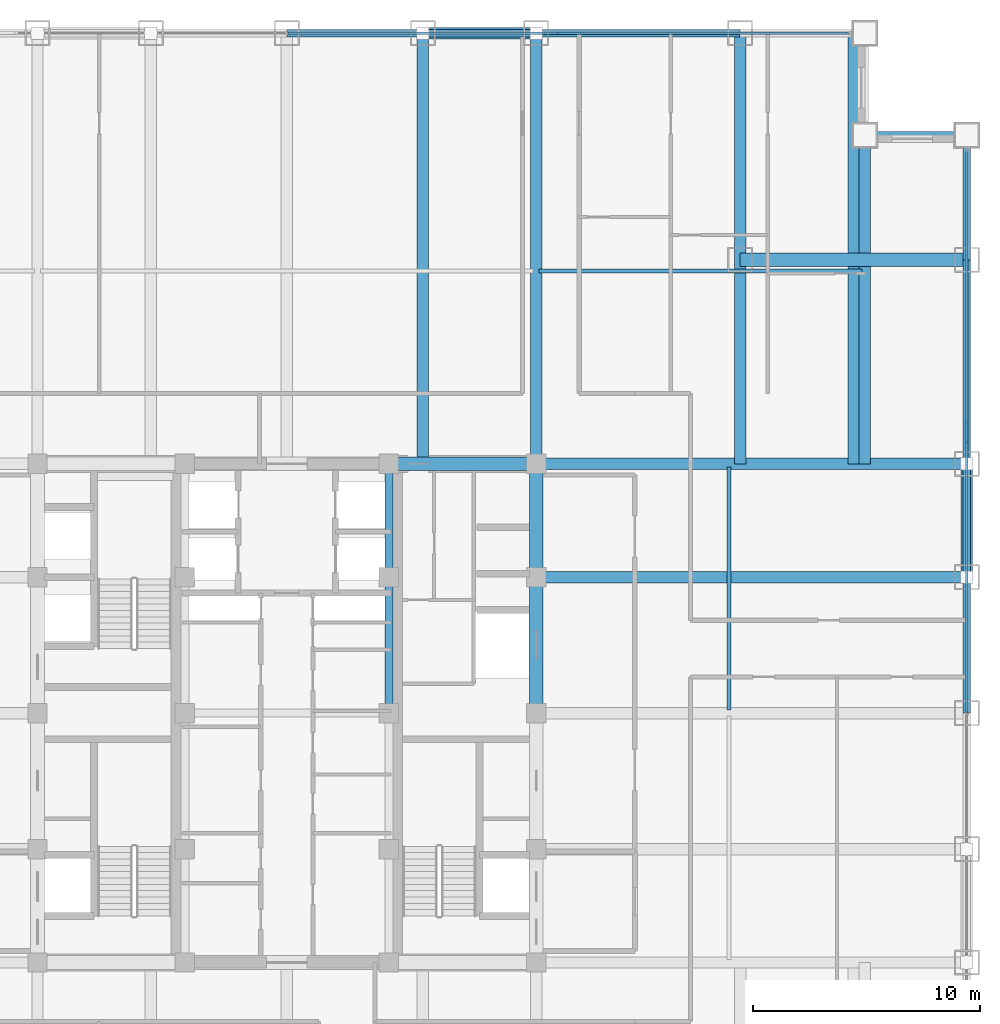
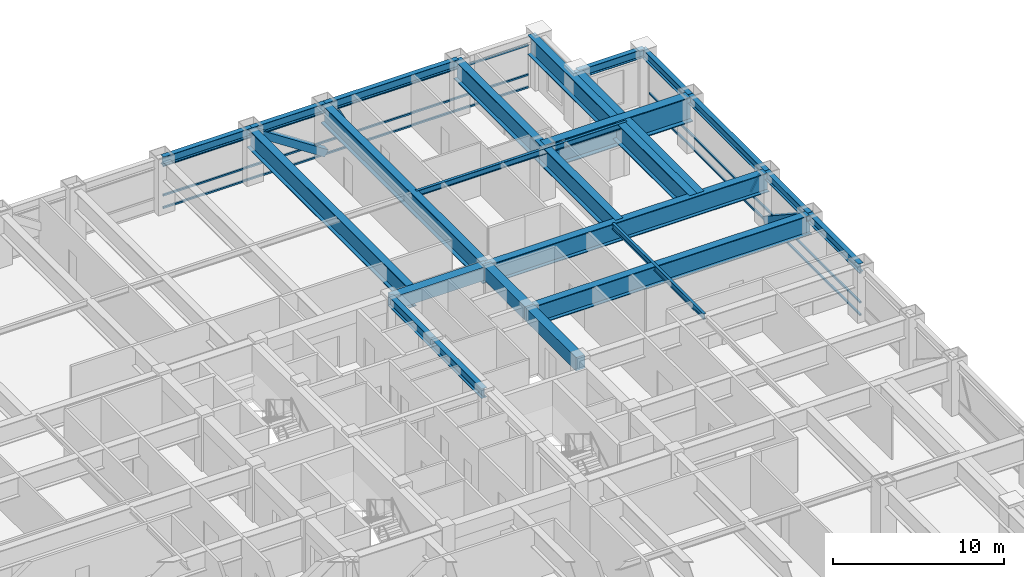
# One storey, part 17 of 26: 23 beams, 10 members, 2 elements without a shape of their own.
"""IFC4 building model written with IfcOpenShell, lengths in metres."""

from ifc_helpers import new_model, si_unit, direction, frame, origin, origin_2d, place, context, subcontext, project, spatial, rectangle, hollow_rectangle, i_section, extrude, source, transform, mapped, material, material_profile, profile_set, type_object, element, aggregate, save


model = new_model("IFC4")

# Units and contexts
model_context = context("Model", 3, precision=1e-05, world=origin(), true_north=direction((0.0, 1.0)))
body_context = subcontext(model_context, "Body", "Model", "MODEL_VIEW")
ifc_project = project(units=[si_unit("LENGTHUNIT", "METRE"), si_unit("AREAUNIT", "SQUARE_METRE"), si_unit("VOLUMEUNIT", "CUBIC_METRE"), si_unit("PLANEANGLEUNIT", "RADIAN"), si_unit("MASSUNIT", "GRAM", prefix="KILO")], contexts=[model_context])

# Site, building, storey
site_placement = place(None, origin())
site = spatial("IfcSite", under=ifc_project, at=site_placement, CompositionType="ELEMENT")
building_placement = place(site_placement, origin())
building = spatial("IfcBuilding", under=site, at=building_placement, Name="Khorayat Bourse Tower", CompositionType="ELEMENT")
storey_placement = place(building_placement, frame((0.0, 0.0, 207.10009765625)))
storey = spatial("IfcBuildingStorey", under=building, at=storey_placement, Name="L48", CompositionType="ELEMENT", Elevation=207.10009765625)

# Beams
ifc_material_1 = material(Name="Steel ASTM A992 Grade 50", Category="steel")
ifc_material_profile_1 = material_profile(ifc_material_1, i_section(OverallWidth=0.35498046875, OverallDepth=0.695068359375, WebThickness=0.015380859375, FlangeThickness=0.02490234375, FilletRadius=0.01806640625, at=origin_2d()), Name="W690X217")
ifc_profile_set_1 = profile_set([ifc_material_profile_1], Name="Steel ASTM A992 Grade 50")
beam_type_1 = type_object("IfcBeamType", Name="BM-GIRD-690", PredefinedType="BEAM", material=ifc_profile_set_1)
shared_shape_1 = source(origin(), body_context, "Body", "SweptSolid", [
    extrude(i_section(OverallWidth=0.35498046875, OverallDepth=0.695068359375, WebThickness=0.015380859375, FlangeThickness=0.02490234375, FilletRadius=0.01806640625, at=origin_2d()), origin(), (0.0, 0.0, 1.0), 5.0),
])
beam_1_placement = place(storey_placement, frame((4.5, 6.0, 3.432373046875), z_axis=(0.0, 1.0, 0.0), x_axis=(-1.0, 0.0, 0.0)))
element("IfcBeam", 1, at=beam_1_placement, inside=storey, type_object=beam_type_1, Name="L48 BM-GIRD-690 BM-L48-CRX-12", PredefinedType="BEAM", context=body_context, shape_type="MappedRepresentation", body=[
    mapped(shared_shape_1, transform((0.0, 0.0, 0.0), scale=1.0)),
])
shared_shape_2 = source(origin(), body_context, "Body", "SweptSolid", [
    extrude(i_section(OverallWidth=0.35498046875, OverallDepth=0.695068359375, WebThickness=0.015380859375, FlangeThickness=0.02490234375, FilletRadius=0.01806640625, at=origin_2d()), origin(), (0.0, 0.0, 1.0), 6.0),
])
beam_2_placement = place(storey_placement, frame((4.5, 0.0, 3.432373046875), z_axis=(0.0, 1.0, 0.0), x_axis=(-1.0, 0.0, 0.0)))
element("IfcBeam", 2, at=beam_2_placement, inside=storey, type_object=beam_type_1, Name="L48 BM-GIRD-690 BM-L48-CRX-11", PredefinedType="BEAM", context=body_context, shape_type="MappedRepresentation", body=[
    mapped(shared_shape_2, transform((0.0, 0.0, 0.0), scale=1.0)),
])
ifc_material_2 = material(Name="Steel EN 10025-4 S460M", Category="steel")
ifc_material_profile_2 = material_profile(ifc_material_2, i_section(OverallWidth=0.60009765625, OverallDepth=1.800048828125, WebThickness=0.031982421875, FlangeThickness=0.06005859375, at=origin_2d()), Name="PG 1800x600x32x60")
ifc_profile_set_2 = profile_set([ifc_material_profile_2], Name="Steel EN 10025-4 S460M")
beam_type_2 = type_object("IfcBeamType", Name="BM-TR-1800", PredefinedType="BEAM", material=ifc_profile_set_2)
shared_shape_3 = source(origin(), body_context, "Body", "SweptSolid", [
    extrude(i_section(OverallWidth=0.60009765625, OverallDepth=1.800048828125, WebThickness=0.031982421875, FlangeThickness=0.06005859375, at=origin_2d()), origin(), (0.0, 0.0, 1.0), 10.0),
])
beam_3_placement = place(storey_placement, frame((20.0, 20.0, 2.8798828125), z_axis=(1.0, 0.0, 0.0), x_axis=(0.0, 1.0, 0.0)))
element("IfcBeam", 3, at=beam_3_placement, inside=storey, type_object=beam_type_2, Name="L48 BM-TR-1800 BM-L48-CNRX-098", PredefinedType="BEAM", context=body_context, shape_type="MappedRepresentation", body=[
    mapped(shared_shape_3, transform((0.0, 0.0, 0.0), scale=1.0)),
])
ifc_material_profile_3 = material_profile(ifc_material_1, i_section(OverallWidth=0.180908203125, OverallDepth=0.4169921875, WebThickness=0.010986328125, FlangeThickness=0.018310546875, FilletRadius=0.011962890625, at=origin_2d()), Name="W410X85")
ifc_profile_set_3 = profile_set([ifc_material_profile_3], Name="Steel ASTM A992 Grade 50")
beam_type_3 = type_object("IfcBeamType", Name="BM-JOIST-410", PredefinedType="JOIST", material=ifc_profile_set_3)
shared_shape_4 = source(origin(), body_context, "Body", "SweptSolid", [
    extrude(i_section(OverallWidth=0.180908203125, OverallDepth=0.4169921875, WebThickness=0.010986328125, FlangeThickness=0.018310546875, FilletRadius=0.011962890625, at=origin_2d()), origin(), (0.0, 0.0, 1.0), 14.240234375),
])
beam_4_placement = place(storey_placement, frame((11.1298828125, 19.5, 3.5712890625), z_axis=(1.0, 0.0, 0.0), x_axis=(0.0, 1.0, 0.0)))
element("IfcBeam", 4, at=beam_4_placement, inside=storey, type_object=beam_type_3, Name="L48 BM-JOIST-410 BM-L48-JSTX-109", PredefinedType="JOIST", context=body_context, shape_type="MappedRepresentation", body=[
    mapped(shared_shape_4, transform((0.0, 0.0, 0.0), scale=1.0)),
])
shared_shape_5 = source(origin(), body_context, "Body", "SweptSolid", [
    extrude(i_section(OverallWidth=0.180908203125, OverallDepth=0.4169921875, WebThickness=0.010986328125, FlangeThickness=0.018310546875, FilletRadius=0.011962890625, at=origin_2d()), origin(), (0.0, 0.0, 1.0), 10.740234375),
])
beam_5_placement = place(storey_placement, frame((19.5, 0.1298828125, 3.5712890625), z_axis=(0.0, 1.0, 0.0), x_axis=(-1.0, 0.0, 0.0)))
element("IfcBeam", 5, at=beam_5_placement, inside=storey, type_object=beam_type_3, Name="L48 BM-JOIST-410 BM-L48-JSTY-113", PredefinedType="JOIST", context=body_context, shape_type="MappedRepresentation", body=[
    mapped(shared_shape_5, transform((0.0, 0.0, 0.0), scale=1.0)),
])
ifc_material_profile_4 = material_profile(ifc_material_1, i_section(OverallWidth=0.324951171875, OverallDepth=0.615966796875, WebThickness=0.013916015625, FlangeThickness=0.021484375, FilletRadius=0.01611328125, at=origin_2d()), Name="W610X174")
ifc_profile_set_4 = profile_set([ifc_material_profile_4], Name="Steel ASTM A992 Grade 50")
beam_type_4 = type_object("IfcBeamType", Name="BM-SPAN-610", PredefinedType="SPANDREL", material=ifc_profile_set_4)
shared_shape_6 = source(origin(), body_context, "Body", "SweptSolid", [
    extrude(i_section(OverallWidth=0.324951171875, OverallDepth=0.615966796875, WebThickness=0.013916015625, FlangeThickness=0.021484375, FilletRadius=0.01611328125, at=origin_2d()), origin(), (0.0, 0.0, 1.0), 5.5),
])
beam_6_placement = place(storey_placement, frame((30.0, 20.0, 3.471923828125), z_axis=(0.0, 1.0, 0.0), x_axis=(-1.0, 0.0, 0.0)))
element("IfcBeam", 6, at=beam_6_placement, inside=storey, type_object=beam_type_4, Name="L48 BM-SPAN-610 BM-L48-SPN-041", PredefinedType="SPANDREL", context=body_context, shape_type="MappedRepresentation", body=[
    mapped(shared_shape_6, transform((0.0, 0.0, 0.0), scale=1.0)),
])
shared_shape_7 = source(origin(), body_context, "Body", "SweptSolid", [
    extrude(i_section(OverallWidth=0.324951171875, OverallDepth=0.615966796875, WebThickness=0.013916015625, FlangeThickness=0.021484375, FilletRadius=0.01611328125, at=origin_2d()), origin(), (0.0, 0.0, 1.0), 9.0),
])
for number, where, z_axis, x_axis, name in (
    (7, (30.0, 11.0, 3.471923828125), (0.0, 1.0, 0.0), (-1.0, 0.0, 0.0), "L48 BM-SPAN-610 BM-L48-SPN-040"),
    (8, (11.0, 30.0, 3.471923828125), (1.0, 0.0, 0.0), (0.0, 1.0, 0.0), "L48 BM-SPAN-610 BM-L48-SPN-045"),
):
    element("IfcBeam", number, at=place(storey_placement, frame(where, z_axis=z_axis, x_axis=x_axis)), inside=storey, type_object=beam_type_4, Name=name, PredefinedType="SPANDREL", context=body_context, shape_type="MappedRepresentation", body=[
        mapped(shared_shape_7, transform((0.0, 0.0, 0.0), scale=1.0)),
    ])
shared_shape_8 = source(origin(), body_context, "Body", "SweptSolid", [
    extrude(i_section(OverallWidth=0.324951171875, OverallDepth=0.615966796875, WebThickness=0.013916015625, FlangeThickness=0.021484375, FilletRadius=0.01611328125, at=origin_2d()), origin(), (0.0, 0.0, 1.0), 5.0),
])
for number, where, z_axis, x_axis, name in (
    (9, (30.0, 6.0, 3.471923828125), (0.0, 1.0, 0.0), (-1.0, 0.0, 0.0), "L48 BM-SPAN-610 BM-L48-SPN-039"),
    (10, (6.0, 30.0, 3.471923828125), (1.0, 0.0, 0.0), (0.0, 1.0, 0.0), "L48 BM-SPAN-610 BM-L48-SPN-046"),
):
    element("IfcBeam", number, at=place(storey_placement, frame(where, z_axis=z_axis, x_axis=x_axis)), inside=storey, type_object=beam_type_4, Name=name, PredefinedType="SPANDREL", context=body_context, shape_type="MappedRepresentation", body=[
        mapped(shared_shape_8, transform((0.0, 0.0, 0.0), scale=1.0)),
    ])
shared_shape_9 = source(origin(), body_context, "Body", "SweptSolid", [
    extrude(i_section(OverallWidth=0.324951171875, OverallDepth=0.615966796875, WebThickness=0.013916015625, FlangeThickness=0.021484375, FilletRadius=0.01611328125, at=origin_2d()), origin(), (0.0, 0.0, 1.0), 6.0),
])
for number, where, z_axis, x_axis, name in (
    (11, (30.0, 0.0, 3.471923828125), (0.0, 1.0, 0.0), (-1.0, 0.0, 0.0), "L48 BM-SPAN-610 BM-L48-SPN-038"),
    (12, (0.0, 30.0, 3.471923828125), (1.0, 0.0, 0.0), (0.0, 1.0, 0.0), "L48 BM-SPAN-610 BM-L48-SPN-047"),
):
    element("IfcBeam", number, at=place(storey_placement, frame(where, z_axis=z_axis, x_axis=x_axis)), inside=storey, type_object=beam_type_4, Name=name, PredefinedType="SPANDREL", context=body_context, shape_type="MappedRepresentation", body=[
        mapped(shared_shape_9, transform((0.0, 0.0, 0.0), scale=1.0)),
    ])
shared_shape_10 = source(origin(), body_context, "Body", "SweptSolid", [
    extrude(i_section(OverallWidth=0.324951171875, OverallDepth=0.615966796875, WebThickness=0.013916015625, FlangeThickness=0.021484375, FilletRadius=0.01611328125, at=origin_2d()), origin(), (0.0, 0.0, 1.0), 4.5),
])
beam_7_placement = place(storey_placement, frame((25.5, 25.5, 3.471923828125), z_axis=(1.0, 0.0, 0.0), x_axis=(0.0, 1.0, 0.0)))
element("IfcBeam", 13, at=beam_7_placement, inside=storey, type_object=beam_type_4, Name="L48 BM-SPAN-610 BM-L48-SPN-042", PredefinedType="SPANDREL", context=body_context, shape_type="MappedRepresentation", body=[
    mapped(shared_shape_10, transform((0.0, 0.0, 0.0), scale=1.0)),
])

# Members
ifc_material_profile_5 = material_profile(ifc_material_2, hollow_rectangle(XDim=0.5, YDim=0.5, WallThickness=0.028076171875, at=origin_2d()), Name="HSS 500x500x28")
ifc_profile_set_5 = profile_set([ifc_material_profile_5], Name="Steel EN 10025-4 S460M")
member_type_1 = type_object("IfcMemberType", Name="MBR-TUBE-500", PredefinedType="BRACE", material=ifc_profile_set_5)
shared_shape_11 = source(origin(), body_context, "Body", "SweptSolid", [
    extrude(hollow_rectangle(XDim=0.5, YDim=0.5, WallThickness=0.028076171875, at=origin_2d()), origin(), (0.0, 0.0, 1.0), 5.979736328125),
])
for number, where, z_axis, x_axis, name in (
    (14, (6.0, 30.0, 3.52978515625), (0.836160261256, 0.0, -0.548485202623), (0.0, 1.0, 0.0), "L48 Perimeter Tube Brace 04"),
    (15, (30.0, 6.0, 3.52978515625), (0.0, 0.836160261256, -0.548485202623), (-1.0, 0.0, 0.0), "L48 Perimeter Tube Brace 08"),
):
    element("IfcMember", number, at=place(storey_placement, frame(where, z_axis=z_axis, x_axis=x_axis)), inside=storey, type_object=member_type_1, Name=name, PredefinedType="BRACE", context=body_context, shape_type="MappedRepresentation", body=[
        mapped(shared_shape_11, transform((0.0, 0.0, 0.0), scale=1.0)),
    ])

# Beams
ifc_material_3 = material(Name="Concrete C60/75", Category="concrete")
ifc_material_profile_6 = material_profile(ifc_material_3, rectangle(XDim=0.60009765625, YDim=0.949951171875, at=origin_2d()), Name="RC 600x950")
ifc_profile_set_6 = profile_set([ifc_material_profile_6], Name="Concrete C60/75")
beam_type_5 = type_object("IfcBeamType", Name="BM-COUP-950", PredefinedType="BEAM", material=ifc_profile_set_6)
shared_shape_12 = source(origin(), body_context, "Body", "SweptSolid", [
    extrude(rectangle(XDim=0.60009765625, YDim=0.949951171875, at=origin_2d()), origin(), (0.0, 0.0, 1.0), 5.0),
])
beam_8_placement = place(storey_placement, frame((11.0, 6.0, 3.304931640625), z_axis=(0.0, 1.0, 0.0), x_axis=(-1.0, 0.0, 0.0)))
element("IfcBeam", 16, at=beam_8_placement, inside=storey, type_object=beam_type_5, Name="L48 BM-COUP-950 BM-L48-CRX-16", PredefinedType="BEAM", context=body_context, shape_type="MappedRepresentation", body=[
    mapped(shared_shape_12, transform((0.0, 0.0, 0.0), scale=1.0)),
])
shared_shape_13 = source(origin(), body_context, "Body", "SweptSolid", [
    extrude(rectangle(XDim=0.60009765625, YDim=0.949951171875, at=origin_2d()), origin(), (0.0, 0.0, 1.0), 6.0),
])
beam_9_placement = place(storey_placement, frame((11.0, 0.0, 3.304931640625), z_axis=(0.0, 1.0, 0.0), x_axis=(-1.0, 0.0, 0.0)))
element("IfcBeam", 17, at=beam_9_placement, inside=storey, type_object=beam_type_5, Name="L48 BM-COUP-950 BM-L48-CRX-15", PredefinedType="BEAM", context=body_context, shape_type="MappedRepresentation", body=[
    mapped(shared_shape_13, transform((0.0, 0.0, 0.0), scale=1.0)),
])
shared_shape_14 = source(origin(), body_context, "Body", "SweptSolid", [
    extrude(rectangle(XDim=0.60009765625, YDim=0.949951171875, at=origin_2d()), origin(), (0.0, 0.0, 1.0), 6.5),
])
beam_10_placement = place(storey_placement, frame((4.5, 11.0, 3.304931640625), z_axis=(1.0, 0.0, 0.0), x_axis=(0.0, 1.0, 0.0)))
element("IfcBeam", 18, at=beam_10_placement, inside=storey, type_object=beam_type_5, Name="L48 BM-COUP-950 BM-L48-CRY-22", PredefinedType="BEAM", context=body_context, shape_type="MappedRepresentation", body=[
    mapped(shared_shape_14, transform((0.0, 0.0, 0.0), scale=1.0)),
])
ifc_material_profile_7 = material_profile(ifc_material_2, i_section(OverallWidth=0.5, OverallDepth=1.39990234375, WebThickness=0.02490234375, FlangeThickness=0.050048828125, at=origin_2d()), Name="PG 1400x500x25x50")
ifc_profile_set_7 = profile_set([ifc_material_profile_7], Name="Steel EN 10025-4 S460M")
beam_type_6 = type_object("IfcBeamType", Name="BM-TR-1400", PredefinedType="BEAM", material=ifc_profile_set_7)
shared_shape_15 = source(origin(), body_context, "Body", "SweptSolid", [
    extrude(i_section(OverallWidth=0.5, OverallDepth=1.39990234375, WebThickness=0.02490234375, FlangeThickness=0.050048828125, at=origin_2d()), origin(), (0.0, 0.0, 1.0), 19.0),
])
for number, where, z_axis, x_axis, name in (
    (19, (6.0, 11.0, 3.079833984375), (0.0, 1.0, 0.0), (-1.0, 0.0, 0.0), "L48 BM-TR-1400 BM-L48-RADY-070"),
    (20, (11.0, 11.0, 3.079833984375), (0.0, 1.0, 0.0), (-1.0, 0.0, 0.0), "L48 BM-TR-1400 BM-L48-RADY-072"),
    (21, (11.0, 6.0, 3.079833984375), (1.0, 0.0, 0.0), (0.0, 1.0, 0.0), "L48 BM-TR-1400 BM-L48-RADX-080"),
    (22, (11.0, 11.0, 3.079833984375), (1.0, 0.0, 0.0), (0.0, 1.0, 0.0), "L48 BM-TR-1400 BM-L48-RADX-082"),
    (23, (20.0, 11.0, 3.079833984375), (0.0, 1.0, 0.0), (-1.0, 0.0, 0.0), "L48 BM-TR-1400 BM-L48-CNRY-087"),
    (24, (25.0, 11.0, 3.079833984375), (0.0, 1.0, 0.0), (-1.0, 0.0, 0.0), "L48 BM-TR-1400 BM-L48-CNRY-091"),
):
    element("IfcBeam", number, at=place(storey_placement, frame(where, z_axis=z_axis, x_axis=x_axis)), inside=storey, type_object=beam_type_6, Name=name, PredefinedType="BEAM", context=body_context, shape_type="MappedRepresentation", body=[
        mapped(shared_shape_15, transform((0.0, 0.0, 0.0), scale=1.0)),
    ])
shared_shape_16 = source(origin(), body_context, "Body", "SweptSolid", [
    extrude(i_section(OverallWidth=0.5, OverallDepth=1.39990234375, WebThickness=0.02490234375, FlangeThickness=0.050048828125, at=origin_2d()), origin(), (0.0, 0.0, 1.0), 14.5),
])
beam_11_placement = place(storey_placement, frame((25.5, 11.0, 3.079833984375), z_axis=(0.0, 1.0, 0.0), x_axis=(-1.0, 0.0, 0.0)))
element("IfcBeam", 25, at=beam_11_placement, inside=storey, type_object=beam_type_6, Name="L48 BM-TR-1400 BM-L48-CNRY-095", PredefinedType="BEAM", context=body_context, shape_type="MappedRepresentation", body=[
    mapped(shared_shape_16, transform((0.0, 0.0, 0.0), scale=1.0)),
])

# Curtain wall, member
ifc_material_4 = material(Name="Aluminium EN AW-6063 T6", Category="aluminium")
curtain_wall_type = type_object("IfcCurtainWallType", Name="CW-SYS-03", PredefinedType="NOTDEFINED", material=ifc_material_4)
curtain_wall_1_placement = place(storey_placement, origin())
curtain_wall_1 = element("IfcCurtainWall", 26, at=curtain_wall_1_placement, inside=storey, type_object=curtain_wall_type, Name="L48 Curtain Wall CW-L48-N1", PredefinedType="NOTDEFINED")
ifc_material_profile_8 = material_profile(ifc_material_4, hollow_rectangle(XDim=0.1201171875, YDim=0.1201171875, WallThickness=0.0048828125, at=origin_2d()), Name="ALU 120x120x5")
ifc_profile_set_8 = profile_set([ifc_material_profile_8], Name="Aluminium EN AW-6063 T6")
member_type_2 = type_object("IfcMemberType", Name="CWM-DIAG-120", PredefinedType="MULLION", material=ifc_profile_set_8)
shared_shape_17 = source(origin(), body_context, "Body", "SweptSolid", [
    extrude(hollow_rectangle(XDim=0.1201171875, YDim=0.1201171875, WallThickness=0.0048828125, at=origin_2d()), origin(), (0.0, 0.0, 1.0), 2.079345703125),
])
member_1_placement = place(storey_placement, frame((12.904296875, 30.0, 1.08984375), z_axis=(-0.465760949701, 0.0, 0.884910581773), x_axis=(0.0, -1.0, 0.0)))
member_1 = element("IfcMember", 27, at=member_1_placement, type_object=member_type_2, Name="CW-L48-N1 Faceted Diagonal Mullion 2", PredefinedType="MULLION", context=body_context, shape_type="MappedRepresentation", body=[
    mapped(shared_shape_17, transform((0.0, 0.0, 0.0), scale=1.0)),
])

curtain_wall_2_placement = place(storey_placement, origin())
curtain_wall_2 = element("IfcCurtainWall", 28, at=curtain_wall_2_placement, inside=storey, type_object=curtain_wall_type, Name="L48 Curtain Wall CW-L48-E1", PredefinedType="NOTDEFINED")
member_2_placement = place(storey_placement, frame((30.0, 12.904296875, 1.08984375), z_axis=(0.0, -0.465760949701, 0.884910581773), x_axis=(1.0, 0.0, 0.0)))
member_2 = element("IfcMember", 29, at=member_2_placement, type_object=member_type_2, Name="CW-L48-E1 Faceted Diagonal Mullion 2", PredefinedType="MULLION", context=body_context, shape_type="MappedRepresentation", body=[
    mapped(shared_shape_17, transform((0.0, 0.0, 0.0), scale=1.0)),
])

# Member
ifc_material_profile_9 = material_profile(ifc_material_4, hollow_rectangle(XDim=0.1201171875, YDim=0.1201171875, WallThickness=0.0048828125, at=origin_2d()), Name="ALU 120x120x5")
ifc_profile_set_9 = profile_set([ifc_material_profile_9], Name="Aluminium EN AW-6063 T6")
member_type_3 = type_object("IfcMemberType", Name="CWT-HORZ-120", PredefinedType="USERDEFINED", material=ifc_profile_set_9)
shared_shape_18 = source(origin(), body_context, "Body", "SweptSolid", [
    extrude(hollow_rectangle(XDim=0.1201171875, YDim=0.1201171875, WallThickness=0.0048828125, at=origin_2d()), origin(), (0.0, 0.0, 1.0), 24.719970703125),
])
member_3_placement = place(storey_placement, frame((0.06005859375, 30.0, 0.059814453125), z_axis=(1.0, 0.0, 0.0), x_axis=(0.0, 1.0, 0.0)))
member_3 = element("IfcMember", 30, at=member_3_placement, type_object=member_type_3, Name="CW-L48-N1 Horizontal Transom 2-1", ObjectType="TRANSOM", PredefinedType="USERDEFINED", context=body_context, shape_type="MappedRepresentation", body=[
    mapped(shared_shape_18, transform((0.0, 0.0, 0.0), scale=1.0)),
])

member_4_placement = place(storey_placement, frame((0.06005859375, 30.0, 0.949951171875), z_axis=(1.0, 0.0, 0.0), x_axis=(0.0, 1.0, 0.0)))
member_4 = element("IfcMember", 31, at=member_4_placement, type_object=member_type_3, Name="CW-L48-N1 Horizontal Transom 2-2", ObjectType="TRANSOM", PredefinedType="USERDEFINED", context=body_context, shape_type="MappedRepresentation", body=[
    mapped(shared_shape_18, transform((0.0, 0.0, 0.0), scale=1.0)),
])

member_5_placement = place(storey_placement, frame((0.06005859375, 30.0, 3.06982421875), z_axis=(1.0, 0.0, 0.0), x_axis=(0.0, 1.0, 0.0)))
member_5 = element("IfcMember", 32, at=member_5_placement, type_object=member_type_3, Name="CW-L48-N1 Horizontal Transom 2-3", ObjectType="TRANSOM", PredefinedType="USERDEFINED", context=body_context, shape_type="MappedRepresentation", body=[
    mapped(shared_shape_18, transform((0.0, 0.0, 0.0), scale=1.0)),
])

aggregate(curtain_wall_1, [member_3, member_4, member_5, member_1])

member_6_placement = place(storey_placement, frame((30.0, 0.06005859375, 0.059814453125), z_axis=(0.0, 1.0, 0.0), x_axis=(-1.0, 0.0, 0.0)))
member_6 = element("IfcMember", 33, at=member_6_placement, type_object=member_type_3, Name="CW-L48-E1 Horizontal Transom 2-1", ObjectType="TRANSOM", PredefinedType="USERDEFINED", context=body_context, shape_type="MappedRepresentation", body=[
    mapped(shared_shape_18, transform((0.0, 0.0, 0.0), scale=1.0)),
])

member_7_placement = place(storey_placement, frame((30.0, 0.06005859375, 0.949951171875), z_axis=(0.0, 1.0, 0.0), x_axis=(-1.0, 0.0, 0.0)))
member_7 = element("IfcMember", 34, at=member_7_placement, type_object=member_type_3, Name="CW-L48-E1 Horizontal Transom 2-2", ObjectType="TRANSOM", PredefinedType="USERDEFINED", context=body_context, shape_type="MappedRepresentation", body=[
    mapped(shared_shape_18, transform((0.0, 0.0, 0.0), scale=1.0)),
])

member_8_placement = place(storey_placement, frame((30.0, 0.06005859375, 3.06982421875), z_axis=(0.0, 1.0, 0.0), x_axis=(-1.0, 0.0, 0.0)))
member_8 = element("IfcMember", 35, at=member_8_placement, type_object=member_type_3, Name="CW-L48-E1 Horizontal Transom 2-3", ObjectType="TRANSOM", PredefinedType="USERDEFINED", context=body_context, shape_type="MappedRepresentation", body=[
    mapped(shared_shape_18, transform((0.0, 0.0, 0.0), scale=1.0)),
])

aggregate(curtain_wall_2, [member_6, member_7, member_8, member_2])

save(model, "model.ifc")
